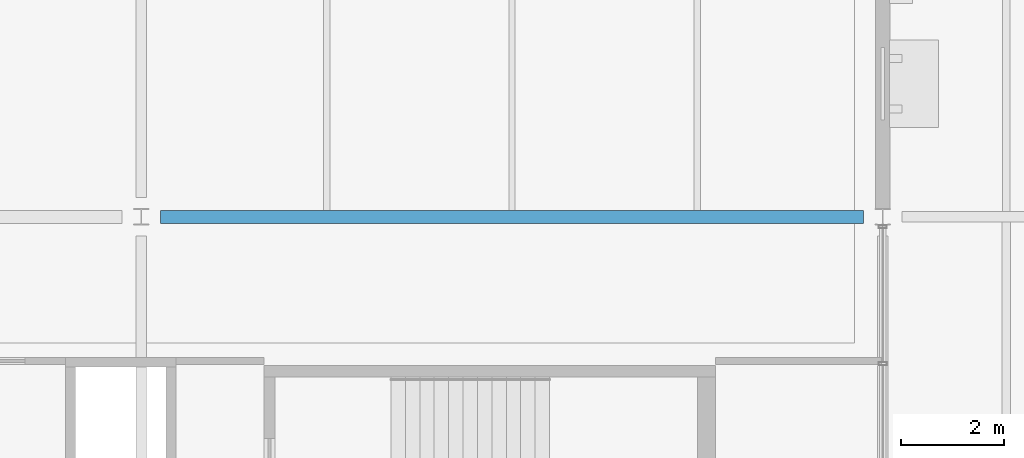
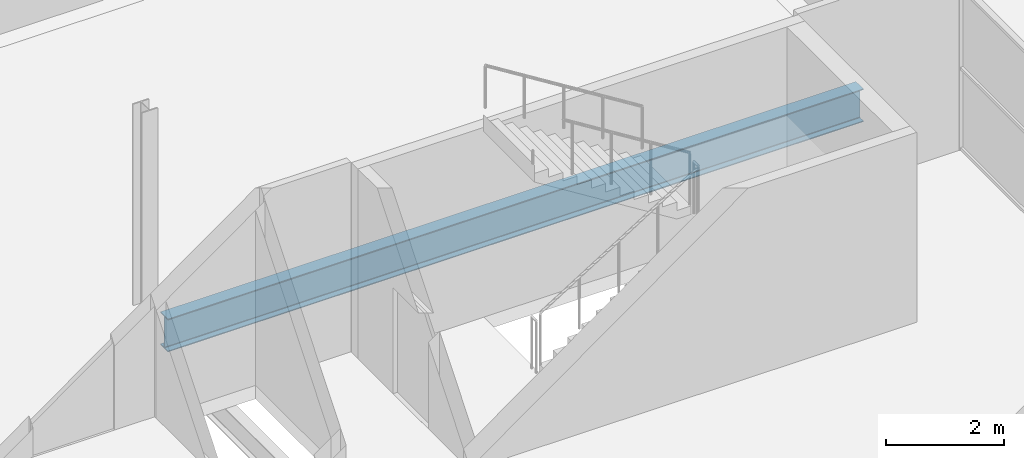
# One storey, part 84 of 161: 1 beam.
"""IFC4 building model written with IfcOpenShell, lengths in metres."""

import ifcopenshell
import ifcopenshell.guid

model = None  # the IFC model being written
_history = None  # IfcOwnerHistory: only IFC2X3 demands one
_inside = {}  # id of a spatial element -> (the spatial element, [elements in it])
_under = {}  # id of a project, library or spatial element -> (it, [spatial elements below it])
_declared = {}  # id of a project -> (the project, [libraries it declares])
_typed = {}  # id of a type object -> (the type object, [elements of that type])
_made_of = {}  # id of a material, layer set ... -> (it, [elements and type objects made of it])


def new_model(schema):
    """Start an empty IFC model of exactly this schema.

    Asked for "IFC4X3", IfcOpenShell would pick the latest addendum, in which some entities
    have other attributes; the version numbers below select the first issue.
    IFC2X3 requires an IfcOwnerHistory on every rooted entity: one is made here for all.
    """
    global model, _history
    if schema == "IFC4X3":
        model = ifcopenshell.file(schema_version=(4, 3, 0, 0))
    else:
        model = ifcopenshell.file(schema=schema)
    _inside.clear()
    _under.clear()
    _declared.clear()
    _typed.clear()
    _made_of.clear()
    _history = None
    if model.schema == "IFC2X3":
        org = make("IfcOrganization", Name="unknown")
        user = make(
            "IfcPersonAndOrganization",
            ThePerson=make("IfcPerson", FamilyName="unknown"),
            TheOrganization=org,
        )
        app = make(
            "IfcApplication",
            ApplicationDeveloper=org,
            Version="unknown",
            ApplicationFullName="unknown",
            ApplicationIdentifier="unknown",
        )
        _history = make(
            "IfcOwnerHistory",
            OwningUser=user,
            OwningApplication=app,
            ChangeAction="ADDED",
            CreationDate=0,
        )
    return model


def make(cls, **values):
    """One entity of the class cls with the attributes given. An attribute that is None is left unset."""
    return model.create_entity(
        cls, **{name: value for name, value in values.items() if value is not None}
    )


def rooted(cls, **values):
    """An entity with a GlobalId (a new one), such as an element, a storey or a relation."""
    return make(cls, GlobalId=ifcopenshell.guid.new(), OwnerHistory=_history, **values)


def si_unit(unit_type, name, prefix=None):
    """IfcSIUnit, for example si_unit("LENGTHUNIT", "METRE", prefix="MILLI")."""
    return make("IfcSIUnit", UnitType=unit_type, Prefix=prefix, Name=name)


def assignment(units):
    """IfcUnitAssignment: the units of a project."""
    return None if units is None else make("IfcUnitAssignment", Units=units)


def point(xyz):
    """IfcCartesianPoint."""
    return None if xyz is None else make("IfcCartesianPoint", Coordinates=xyz)


def direction(xyz):
    """IfcDirection."""
    return None if xyz is None else make("IfcDirection", DirectionRatios=xyz)


def frame(location, z_axis=None, x_axis=None):
    """IfcAxis2Placement3D, a coordinate frame: its origin and axes. An axis left out is left unset."""
    return make(
        "IfcAxis2Placement3D",
        Location=point(location),
        Axis=direction(z_axis),
        RefDirection=direction(x_axis),
    )


def frame_2d(location, x_axis=None):
    """IfcAxis2Placement2D, a coordinate frame in the plane: its origin and x axis."""
    return make(
        "IfcAxis2Placement2D", Location=point(location), RefDirection=direction(x_axis)
    )


def origin():
    """The frame at (0, 0, 0) with its axes left unset."""
    return frame((0.0, 0.0, 0.0))


def origin_2d():
    """The frame at (0, 0) in the plane with its x axis left unset."""
    return frame_2d((0.0, 0.0))


def place(relative_to, where):
    """IfcLocalPlacement: puts the frame where relative to a parent placement (None: the world)."""
    return make(
        "IfcLocalPlacement", PlacementRelTo=relative_to, RelativePlacement=where
    )


def context(
    kind, dimensions, precision=None, world=None, true_north=None, identifier=None
):
    """IfcGeometricRepresentationContext, for example the 3D "Model" context."""
    return make(
        "IfcGeometricRepresentationContext",
        ContextIdentifier=identifier,
        ContextType=kind,
        CoordinateSpaceDimension=dimensions,
        Precision=precision,
        WorldCoordinateSystem=world,
        TrueNorth=true_north,
    )


def subcontext(parent, identifier, kind, view, scale=None):
    """IfcGeometricRepresentationSubContext, for example "Body" below "Model"."""
    return make(
        "IfcGeometricRepresentationSubContext",
        ContextIdentifier=identifier,
        ContextType=kind,
        ParentContext=parent,
        TargetScale=scale,
        TargetView=view,
    )


def project(units=None, contexts=None):
    """IfcProject with its units and contexts."""
    return rooted(
        "IfcProject",
        Name="project",
        RepresentationContexts=contexts,
        UnitsInContext=assignment(units),
    )


def spatial(cls, under=None, at=None, **own):
    """A site, building, storey or space (cls), placed at a placement, below another one or the project."""
    s = rooted(cls, ObjectPlacement=at, **own)
    if under is not None:
        _under.setdefault(under.id(), (under, []))[1].append(s)
    return s


def profile(cls, at=None, kind="AREA", **sizes):
    """A parametric profile (cls). Its sizes go by their IFC names, for example OverallWidth=200.0."""
    return make(cls, ProfileType=kind, Position=at, **sizes)


def i_section(**sizes):
    """IfcIShapeProfileDef."""
    return profile("IfcIShapeProfileDef", **sizes)


def extrude(swept, where, along, depth):
    """IfcExtrudedAreaSolid: the profile swept, set in the frame where, extruded along a direction by depth."""
    return make(
        "IfcExtrudedAreaSolid",
        SweptArea=swept,
        Position=where,
        ExtrudedDirection=direction(along),
        Depth=depth,
    )


def shape(context_of_items, identifier, shape_type, items):
    """IfcShapeRepresentation: the items that make up one representation, for example the "Body"."""
    return make(
        "IfcShapeRepresentation",
        ContextOfItems=context_of_items,
        RepresentationIdentifier=identifier,
        RepresentationType=shape_type,
        Items=items,
    )


def material(Name=None, Category=None):
    """IfcMaterial."""
    return make("IfcMaterial", Name=Name, Category=Category)


def material_profile(
    of_material, cross_section, Name=None, Category=None, Priority=None
):
    """IfcMaterialProfile: a cross section and its material."""
    return make(
        "IfcMaterialProfile",
        Name=Name,
        Material=of_material,
        Profile=cross_section,
        Priority=Priority,
        Category=Category,
    )


def profile_set(profiles, Name=None, composite=None):
    """IfcMaterialProfileSet."""
    return make(
        "IfcMaterialProfileSet",
        Name=Name,
        MaterialProfiles=profiles,
        CompositeProfile=composite,
    )


def made_of(thing, what):
    """Note that an element or type object is made of a material, layer set ...; save() writes the relation."""
    if what is not None:
        _made_of.setdefault(what.id(), (what, []))[1].append(thing)
    return thing


def type_object(cls, material=None, **own):
    """A type object (cls), such as IfcWallType, which elements share."""
    return made_of(rooted(cls, **own), material)


def element(
    cls,
    number,
    at=None,
    inside=None,
    cuts=None,
    type_object=None,
    material=None,
    context=None,
    identifier="Body",
    shape_type=None,
    held_by="IfcProductDefinitionShape",
    body=None,
    shapes=None,
    **own,
):
    """One element of the class cls, such as IfcWall. Its Tag is "e" and its number.

    at: its placement. inside: the storey or other place that contains it. cuts: it is an
    opening in that element (IfcRelVoidsElement). A single representation is given by context,
    identifier, shape_type and body (its items); several are given by shapes. held_by: the class
    of the entity that holds the representations. save() writes the other relations.
    """
    e = rooted(cls, Tag="e%d" % number, ObjectPlacement=at, **own)
    if body is not None:
        shapes = [shape(context, identifier, shape_type, body)]
    if shapes is not None:
        e.Representation = make(held_by, Representations=shapes)
    if inside is not None:
        _inside.setdefault(inside.id(), (inside, []))[1].append(e)
    if cuts is not None:
        rooted(
            "IfcRelVoidsElement", RelatingBuildingElement=cuts, RelatedOpeningElement=e
        )
    if type_object is not None:
        _typed.setdefault(type_object.id(), (type_object, []))[1].append(e)
    return made_of(e, material)


def aggregate(whole, parts):
    """IfcRelAggregates: a whole, such as a stair, and the parts it consists of."""
    return rooted("IfcRelAggregates", RelatingObject=whole, RelatedObjects=parts)


def save(model, path):
    """Write the relations noted so far, then the file.

    IfcRelAggregates (storeys below a building ...), IfcRelContainedInSpatialStructure (elements
    in a storey), IfcRelDefinesByType, IfcRelAssociatesMaterial and IfcRelDeclares: one each for
    every whole, place, type object, material and project.
    """
    for whole, parts in _under.values():
        aggregate(whole, parts)
    for where, things in _inside.values():
        rooted(
            "IfcRelContainedInSpatialStructure",
            RelatedElements=things,
            RelatingStructure=where,
        )
    for kind, things in _typed.values():
        rooted("IfcRelDefinesByType", RelatedObjects=things, RelatingType=kind)
    for what, things in _made_of.values():
        rooted("IfcRelAssociatesMaterial", RelatedObjects=things, RelatingMaterial=what)
    for by, libraries in _declared.values():
        rooted("IfcRelDeclares", RelatingContext=by, RelatedDefinitions=libraries)
    model.write(path)


model = new_model("IFC4")

# Units and contexts
model_context = context("Model", 3, precision=1e-05, world=origin(), true_north=direction((0.0, 1.0)))
body_context = subcontext(model_context, "Body", "Model", "MODEL_VIEW")
ifc_project = project(units=[si_unit("LENGTHUNIT", "METRE"), si_unit("AREAUNIT", "SQUARE_METRE"), si_unit("VOLUMEUNIT", "CUBIC_METRE"), si_unit("PLANEANGLEUNIT", "RADIAN"), si_unit("MASSUNIT", "GRAM", prefix="KILO"), si_unit("THERMODYNAMICTEMPERATUREUNIT", "KELVIN")], contexts=[model_context])

# Site, building, storey
site_placement = place(None, origin())
site = spatial("IfcSite", under=ifc_project, at=site_placement, CompositionType="ELEMENT")
building_placement = place(site_placement, origin())
building = spatial("IfcBuilding", under=site, at=building_placement, Name="Nduvali Passage Aquatics Centre", CompositionType="ELEMENT")
storey_placement = place(building_placement, frame((0.0, 0.0, 4.800048828125)))
storey = spatial("IfcBuildingStorey", under=building, at=storey_placement, Name="L01", CompositionType="ELEMENT", Elevation=4.800048828125)

# Beam
ifc_material = material(Name="Steel S355", Category="steel")
ifc_material_profile = material_profile(ifc_material, i_section(OverallWidth=0.253662109375, OverallDepth=0.68359375, WebThickness=0.012451171875, FlangeThickness=0.01904296875, FilletRadius=0.01513671875, at=origin_2d()), Name="UKB 686x254x140")
ifc_profile_set = profile_set([ifc_material_profile], Name="Steel S355")
beam_type = type_object("IfcBeamType", Name="STR-BM-UKB686", PredefinedType="BEAM", material=ifc_profile_set)
beam_placement = place(storey_placement, frame((111.97509765625, 109.199951171875, -0.625732421875), z_axis=(1.0, 0.0, 0.0), x_axis=(0.0, 1.0, 0.0)))
element("IfcBeam", 1, at=beam_placement, inside=storey, type_object=beam_type, Name="L01 Primary X-Girder B4-0549", PredefinedType="BEAM", context=body_context, shape_type="SweptSolid", body=[
    extrude(i_section(OverallWidth=0.253662109375, OverallDepth=0.68359375, WebThickness=0.012451171875, FlangeThickness=0.01904296875, FilletRadius=0.01513671875, at=origin_2d()), origin(), (0.0, 0.0, 1.0), 13.64990234375),
])

save(model, "model.ifc")
